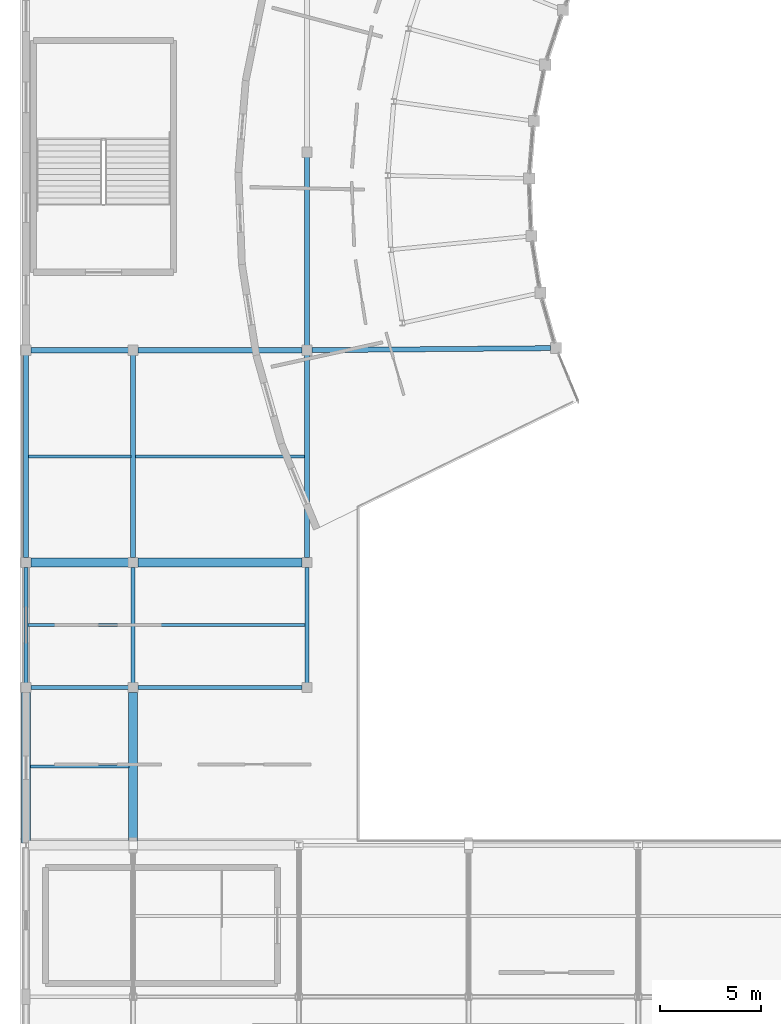
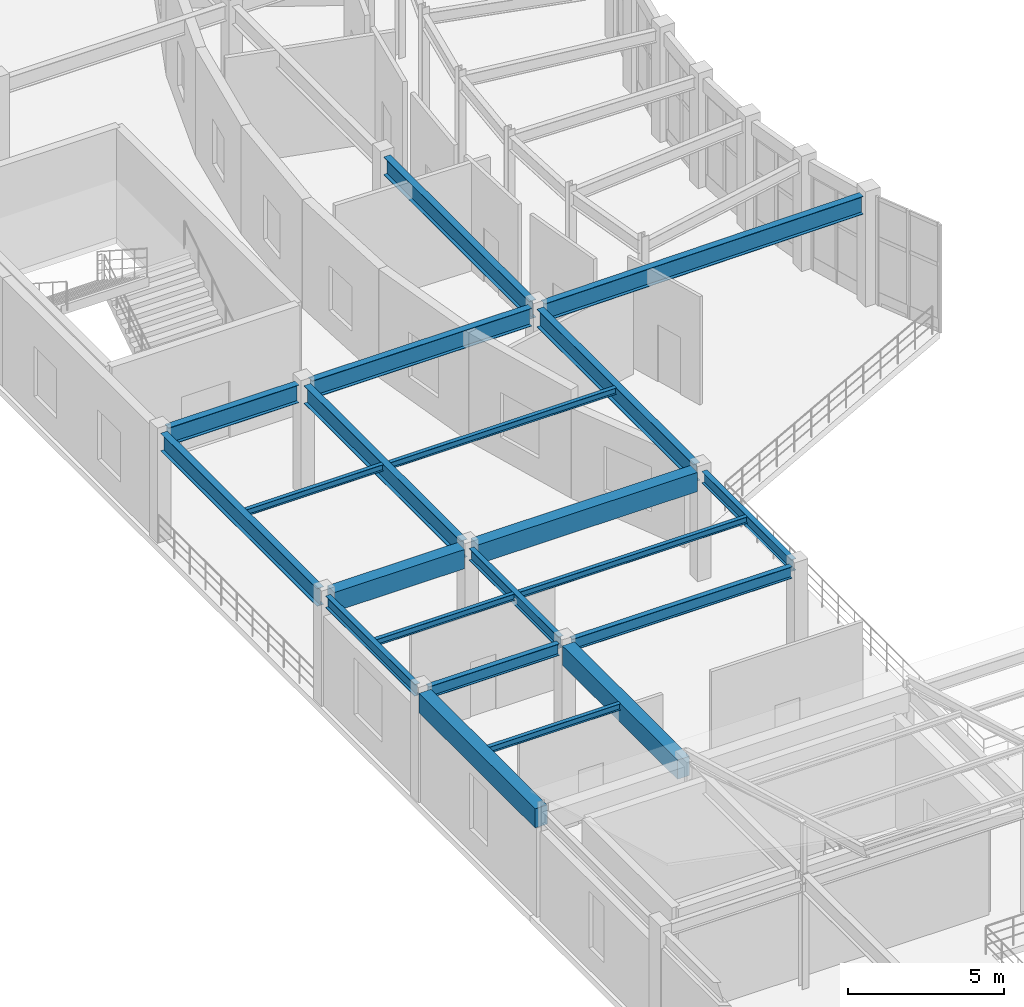
# One storey, part 37 of 112: 21 beams.
"""IFC4 building model written with IfcOpenShell, lengths in metres."""

import ifcopenshell
import ifcopenshell.guid

model = None  # the IFC model being written
_history = None  # IfcOwnerHistory: only IFC2X3 demands one
_inside = {}  # id of a spatial element -> (the spatial element, [elements in it])
_under = {}  # id of a project, library or spatial element -> (it, [spatial elements below it])
_declared = {}  # id of a project -> (the project, [libraries it declares])
_typed = {}  # id of a type object -> (the type object, [elements of that type])
_made_of = {}  # id of a material, layer set ... -> (it, [elements and type objects made of it])


def new_model(schema):
    """Start an empty IFC model of exactly this schema.

    Asked for "IFC4X3", IfcOpenShell would pick the latest addendum, in which some entities
    have other attributes; the version numbers below select the first issue.
    IFC2X3 requires an IfcOwnerHistory on every rooted entity: one is made here for all.
    """
    global model, _history
    if schema == "IFC4X3":
        model = ifcopenshell.file(schema_version=(4, 3, 0, 0))
    else:
        model = ifcopenshell.file(schema=schema)
    _inside.clear()
    _under.clear()
    _declared.clear()
    _typed.clear()
    _made_of.clear()
    _history = None
    if model.schema == "IFC2X3":
        org = make("IfcOrganization", Name="unknown")
        user = make(
            "IfcPersonAndOrganization",
            ThePerson=make("IfcPerson", FamilyName="unknown"),
            TheOrganization=org,
        )
        app = make(
            "IfcApplication",
            ApplicationDeveloper=org,
            Version="unknown",
            ApplicationFullName="unknown",
            ApplicationIdentifier="unknown",
        )
        _history = make(
            "IfcOwnerHistory",
            OwningUser=user,
            OwningApplication=app,
            ChangeAction="ADDED",
            CreationDate=0,
        )
    return model


def make(cls, **values):
    """One entity of the class cls with the attributes given. An attribute that is None is left unset."""
    return model.create_entity(
        cls, **{name: value for name, value in values.items() if value is not None}
    )


def rooted(cls, **values):
    """An entity with a GlobalId (a new one), such as an element, a storey or a relation."""
    return make(cls, GlobalId=ifcopenshell.guid.new(), OwnerHistory=_history, **values)


def si_unit(unit_type, name, prefix=None):
    """IfcSIUnit, for example si_unit("LENGTHUNIT", "METRE", prefix="MILLI")."""
    return make("IfcSIUnit", UnitType=unit_type, Prefix=prefix, Name=name)


def assignment(units):
    """IfcUnitAssignment: the units of a project."""
    return None if units is None else make("IfcUnitAssignment", Units=units)


def point(xyz):
    """IfcCartesianPoint."""
    return None if xyz is None else make("IfcCartesianPoint", Coordinates=xyz)


def direction(xyz):
    """IfcDirection."""
    return None if xyz is None else make("IfcDirection", DirectionRatios=xyz)


def frame(location, z_axis=None, x_axis=None):
    """IfcAxis2Placement3D, a coordinate frame: its origin and axes. An axis left out is left unset."""
    return make(
        "IfcAxis2Placement3D",
        Location=point(location),
        Axis=direction(z_axis),
        RefDirection=direction(x_axis),
    )


def frame_2d(location, x_axis=None):
    """IfcAxis2Placement2D, a coordinate frame in the plane: its origin and x axis."""
    return make(
        "IfcAxis2Placement2D", Location=point(location), RefDirection=direction(x_axis)
    )


def origin():
    """The frame at (0, 0, 0) with its axes left unset."""
    return frame((0.0, 0.0, 0.0))


def origin_2d():
    """The frame at (0, 0) in the plane with its x axis left unset."""
    return frame_2d((0.0, 0.0))


def place(relative_to, where):
    """IfcLocalPlacement: puts the frame where relative to a parent placement (None: the world)."""
    return make(
        "IfcLocalPlacement", PlacementRelTo=relative_to, RelativePlacement=where
    )


def context(
    kind, dimensions, precision=None, world=None, true_north=None, identifier=None
):
    """IfcGeometricRepresentationContext, for example the 3D "Model" context."""
    return make(
        "IfcGeometricRepresentationContext",
        ContextIdentifier=identifier,
        ContextType=kind,
        CoordinateSpaceDimension=dimensions,
        Precision=precision,
        WorldCoordinateSystem=world,
        TrueNorth=true_north,
    )


def subcontext(parent, identifier, kind, view, scale=None):
    """IfcGeometricRepresentationSubContext, for example "Body" below "Model"."""
    return make(
        "IfcGeometricRepresentationSubContext",
        ContextIdentifier=identifier,
        ContextType=kind,
        ParentContext=parent,
        TargetScale=scale,
        TargetView=view,
    )


def project(units=None, contexts=None):
    """IfcProject with its units and contexts."""
    return rooted(
        "IfcProject",
        Name="project",
        RepresentationContexts=contexts,
        UnitsInContext=assignment(units),
    )


def spatial(cls, under=None, at=None, **own):
    """A site, building, storey or space (cls), placed at a placement, below another one or the project."""
    s = rooted(cls, ObjectPlacement=at, **own)
    if under is not None:
        _under.setdefault(under.id(), (under, []))[1].append(s)
    return s


def profile(cls, at=None, kind="AREA", **sizes):
    """A parametric profile (cls). Its sizes go by their IFC names, for example OverallWidth=200.0."""
    return make(cls, ProfileType=kind, Position=at, **sizes)


def rectangle(**sizes):
    """IfcRectangleProfileDef."""
    return profile("IfcRectangleProfileDef", **sizes)


def i_section(**sizes):
    """IfcIShapeProfileDef."""
    return profile("IfcIShapeProfileDef", **sizes)


def extrude(swept, where, along, depth):
    """IfcExtrudedAreaSolid: the profile swept, set in the frame where, extruded along a direction by depth."""
    return make(
        "IfcExtrudedAreaSolid",
        SweptArea=swept,
        Position=where,
        ExtrudedDirection=direction(along),
        Depth=depth,
    )


def shape(context_of_items, identifier, shape_type, items):
    """IfcShapeRepresentation: the items that make up one representation, for example the "Body"."""
    return make(
        "IfcShapeRepresentation",
        ContextOfItems=context_of_items,
        RepresentationIdentifier=identifier,
        RepresentationType=shape_type,
        Items=items,
    )


def material(Name=None, Category=None):
    """IfcMaterial."""
    return make("IfcMaterial", Name=Name, Category=Category)


def material_profile(
    of_material, cross_section, Name=None, Category=None, Priority=None
):
    """IfcMaterialProfile: a cross section and its material."""
    return make(
        "IfcMaterialProfile",
        Name=Name,
        Material=of_material,
        Profile=cross_section,
        Priority=Priority,
        Category=Category,
    )


def profile_set(profiles, Name=None, composite=None):
    """IfcMaterialProfileSet."""
    return make(
        "IfcMaterialProfileSet",
        Name=Name,
        MaterialProfiles=profiles,
        CompositeProfile=composite,
    )


def made_of(thing, what):
    """Note that an element or type object is made of a material, layer set ...; save() writes the relation."""
    if what is not None:
        _made_of.setdefault(what.id(), (what, []))[1].append(thing)
    return thing


def type_object(cls, material=None, **own):
    """A type object (cls), such as IfcWallType, which elements share."""
    return made_of(rooted(cls, **own), material)


def element(
    cls,
    number,
    at=None,
    inside=None,
    cuts=None,
    type_object=None,
    material=None,
    context=None,
    identifier="Body",
    shape_type=None,
    held_by="IfcProductDefinitionShape",
    body=None,
    shapes=None,
    **own,
):
    """One element of the class cls, such as IfcWall. Its Tag is "e" and its number.

    at: its placement. inside: the storey or other place that contains it. cuts: it is an
    opening in that element (IfcRelVoidsElement). A single representation is given by context,
    identifier, shape_type and body (its items); several are given by shapes. held_by: the class
    of the entity that holds the representations. save() writes the other relations.
    """
    e = rooted(cls, Tag="e%d" % number, ObjectPlacement=at, **own)
    if body is not None:
        shapes = [shape(context, identifier, shape_type, body)]
    if shapes is not None:
        e.Representation = make(held_by, Representations=shapes)
    if inside is not None:
        _inside.setdefault(inside.id(), (inside, []))[1].append(e)
    if cuts is not None:
        rooted(
            "IfcRelVoidsElement", RelatingBuildingElement=cuts, RelatedOpeningElement=e
        )
    if type_object is not None:
        _typed.setdefault(type_object.id(), (type_object, []))[1].append(e)
    return made_of(e, material)


def aggregate(whole, parts):
    """IfcRelAggregates: a whole, such as a stair, and the parts it consists of."""
    return rooted("IfcRelAggregates", RelatingObject=whole, RelatedObjects=parts)


def save(model, path):
    """Write the relations noted so far, then the file.

    IfcRelAggregates (storeys below a building ...), IfcRelContainedInSpatialStructure (elements
    in a storey), IfcRelDefinesByType, IfcRelAssociatesMaterial and IfcRelDeclares: one each for
    every whole, place, type object, material and project.
    """
    for whole, parts in _under.values():
        aggregate(whole, parts)
    for where, things in _inside.values():
        rooted(
            "IfcRelContainedInSpatialStructure",
            RelatedElements=things,
            RelatingStructure=where,
        )
    for kind, things in _typed.values():
        rooted("IfcRelDefinesByType", RelatedObjects=things, RelatingType=kind)
    for what, things in _made_of.values():
        rooted("IfcRelAssociatesMaterial", RelatedObjects=things, RelatingMaterial=what)
    for by, libraries in _declared.values():
        rooted("IfcRelDeclares", RelatingContext=by, RelatedDefinitions=libraries)
    model.write(path)


model = new_model("IFC4")

# Units and contexts
model_context = context("Model", 3, precision=1e-05, world=origin(), true_north=direction((0.0, 1.0)))
body_context = subcontext(model_context, "Body", "Model", "MODEL_VIEW")
ifc_project = project(units=[si_unit("LENGTHUNIT", "METRE"), si_unit("AREAUNIT", "SQUARE_METRE"), si_unit("VOLUMEUNIT", "CUBIC_METRE"), si_unit("PLANEANGLEUNIT", "RADIAN"), si_unit("MASSUNIT", "GRAM", prefix="KILO")], contexts=[model_context])

# Site, building, storey
site_placement = place(None, origin())
site = spatial("IfcSite", under=ifc_project, at=site_placement, CompositionType="ELEMENT")
building_placement = place(site_placement, origin())
building = spatial("IfcBuilding", under=site, at=building_placement, Name="Cinderbank Siding Concert Hall", CompositionType="ELEMENT")
storey_placement = place(building_placement, frame((0.0, 0.0, 10.199951171875)))
storey = spatial("IfcBuildingStorey", under=building, at=storey_placement, Name="L03", CompositionType="ELEMENT", Elevation=10.199951171875)

# Beams
ifc_material_1 = material(Name="Reinforced concrete AS 3600 N50 (50 MPa)", Category="concrete")
ifc_material_profile_1 = material_profile(ifc_material_1, rectangle(XDim=0.449951171875, YDim=0.75, at=origin_2d()), Name="RC-BM-450x750", Category="LoadBearing")
ifc_profile_set_1 = profile_set([ifc_material_profile_1], Name="Reinforced concrete AS 3600 N50 (50 MPa)")
beam_type_1 = type_object("IfcBeamType", Name="BM-RC750 RC-BM-450x750", PredefinedType="BEAM", material=ifc_profile_set_1)
beam_1_placement = place(storey_placement, frame((7.10009765625, 35.618896484375, 3.886962890625), z_axis=(0.0, 1.0, 0.0), x_axis=(-1.0, 0.0, 0.0)))
element("IfcBeam", 1, at=beam_1_placement, inside=storey, type_object=beam_type_1, Name="L03 Beam BM-RC750 #1712", PredefinedType="BEAM", context=body_context, shape_type="SweptSolid", body=[
    extrude(rectangle(XDim=0.449951171875, YDim=0.75, at=origin_2d()), origin(), (0.0, 0.0, 1.0), 7.439208984375),
])
beam_2_placement = place(storey_placement, frame((12.39990234375, 35.69189453125, 3.886962890625), z_axis=(0.0, 1.0, 0.0), x_axis=(-1.0, 0.0, 0.0)))
element("IfcBeam", 2, at=beam_2_placement, inside=storey, type_object=beam_type_1, Name="L03 Beam BM-RC750 #1717", PredefinedType="BEAM", context=body_context, shape_type="SweptSolid", body=[
    extrude(rectangle(XDim=0.449951171875, YDim=0.75, at=origin_2d()), origin(), (0.0, 0.0, 1.0), 7.3662109375),
])
beam_3_placement = place(storey_placement, frame((7.342041015625, 49.5, 3.886962890625), z_axis=(1.0, 0.0, 0.0), x_axis=(0.0, 1.0, 0.0)))
element("IfcBeam", 3, at=beam_3_placement, inside=storey, type_object=beam_type_1, Name="L03 Beam BM-RC750 #1803", PredefinedType="BEAM", context=body_context, shape_type="SweptSolid", body=[
    extrude(rectangle(XDim=0.449951171875, YDim=0.75, at=origin_2d()), origin(), (0.0, 0.0, 1.0), 4.81591796875),
])
beam_4_placement = place(storey_placement, frame((12.64208984375, 49.5, 3.886962890625), z_axis=(1.0, 0.0, 0.0), x_axis=(0.0, 1.0, 0.0)))
element("IfcBeam", 4, at=beam_4_placement, inside=storey, type_object=beam_type_1, Name="L03 Beam BM-RC750 #1812", PredefinedType="BEAM", context=body_context, shape_type="SweptSolid", body=[
    extrude(rectangle(XDim=0.449951171875, YDim=0.75, at=origin_2d()), origin(), (0.0, 0.0, 1.0), 8.115966796875),
])
ifc_material_2 = material(Name="Structural steel AS/NZS 3679.1 Grade 350 (340 MPa)", Category="steel")
ifc_material_profile_2 = material_profile(ifc_material_2, i_section(OverallWidth=0.18994140625, OverallDepth=0.45751953125, WebThickness=0.009033203125, FlangeThickness=0.014404296875, at=origin_2d()), Name="460UB74.6", Category="LoadBearing")
ifc_profile_set_2 = profile_set([ifc_material_profile_2], Name="Structural steel AS/NZS 3679.1 Grade 350 (340 MPa)")
beam_type_2 = type_object("IfcBeamType", Name="BM-UB460 460UB74.6", PredefinedType="BEAM", material=ifc_profile_set_2)
beam_5_placement = place(storey_placement, frame((7.342041015625, 43.300048828125, 4.033447265625), z_axis=(1.0, 0.0, 0.0), x_axis=(0.0, 1.0, 0.0)))
element("IfcBeam", 5, at=beam_5_placement, inside=storey, type_object=beam_type_2, Name="L03 Beam BM-UB460 #1801", PredefinedType="BEAM", context=body_context, shape_type="SweptSolid", body=[
    extrude(i_section(OverallWidth=0.18994140625, OverallDepth=0.45751953125, WebThickness=0.009033203125, FlangeThickness=0.014404296875, at=origin_2d()), origin(), (0.0, 0.0, 1.0), 4.81591796875),
])
beam_6_placement = place(storey_placement, frame((7.10009765625, 43.5419921875, 4.033447265625), z_axis=(0.0, 1.0, 0.0), x_axis=(-1.0, 0.0, 0.0)))
element("IfcBeam", 6, at=beam_6_placement, inside=storey, type_object=beam_type_2, Name="L03 Beam BM-UB460 #1802", PredefinedType="BEAM", context=body_context, shape_type="SweptSolid", body=[
    extrude(i_section(OverallWidth=0.18994140625, OverallDepth=0.45751953125, WebThickness=0.009033203125, FlangeThickness=0.014404296875, at=origin_2d()), origin(), (0.0, 0.0, 1.0), 5.716064453125),
])
beam_7_placement = place(storey_placement, frame((12.64208984375, 43.300048828125, 4.033447265625), z_axis=(1.0, 0.0, 0.0), x_axis=(0.0, 1.0, 0.0)))
element("IfcBeam", 7, at=beam_7_placement, inside=storey, type_object=beam_type_2, Name="L03 Beam BM-UB460 #1810", PredefinedType="BEAM", context=body_context, shape_type="SweptSolid", body=[
    extrude(i_section(OverallWidth=0.18994140625, OverallDepth=0.45751953125, WebThickness=0.009033203125, FlangeThickness=0.014404296875, at=origin_2d()), origin(), (0.0, 0.0, 1.0), 8.115966796875),
])
for number, where, z_axis, x_axis, name in (
    (8, (12.39990234375, 43.5419921875, 4.033447265625), (0.0, 1.0, 0.0), (-1.0, 0.0, 0.0), "L03 Beam BM-UB460 #1811"),
    (9, (21.0, 43.5419921875, 4.033447265625), (0.0, 1.0, 0.0), (-1.0, 0.0, 0.0), "L03 Beam BM-UB460 #1818"),
):
    element("IfcBeam", number, at=place(storey_placement, frame(where, z_axis=z_axis, x_axis=x_axis)), inside=storey, type_object=beam_type_2, Name=name, PredefinedType="BEAM", context=body_context, shape_type="SweptSolid", body=[
        extrude(i_section(OverallWidth=0.18994140625, OverallDepth=0.45751953125, WebThickness=0.009033203125, FlangeThickness=0.014404296875, at=origin_2d()), origin(), (0.0, 0.0, 1.0), 5.716064453125),
    ])
ifc_material_3 = material(Name="Structural steel welded plate section AS/NZS 3679.2 / AS/NZS 3678 Grade 350 (340 MPa)", Category="steel")
ifc_material_profile_3 = material_profile(ifc_material_3, i_section(OverallWidth=0.25, OverallDepth=0.699951171875, WebThickness=0.010009765625, FlangeThickness=0.01611328125, at=origin_2d()), Name="700WB130", Category="LoadBearing")
ifc_profile_set_3 = profile_set([ifc_material_profile_3], Name="Structural steel welded plate section AS/NZS 3679.2 / AS/NZS 3678 Grade 350 (340 MPa)")
beam_type_3 = type_object("IfcBeamType", Name="BM-WB700 700WB130", PredefinedType="BEAM", material=ifc_profile_set_3)
beam_8_placement = place(storey_placement, frame((7.10009765625, 49.741943359375, 3.912109375), z_axis=(0.0, 1.0, 0.0), x_axis=(-1.0, 0.0, 0.0)))
element("IfcBeam", 10, at=beam_8_placement, inside=storey, type_object=beam_type_3, Name="L03 Beam BM-WB700 #1804", PredefinedType="BEAM", context=body_context, shape_type="SweptSolid", body=[
    extrude(i_section(OverallWidth=0.25, OverallDepth=0.699951171875, WebThickness=0.010009765625, FlangeThickness=0.01611328125, at=origin_2d()), origin(), (0.0, 0.0, 1.0), 10.01611328125),
])
beam_9_placement = place(storey_placement, frame((7.342041015625, 60.0, 3.912109375), z_axis=(1.0, 0.0, 0.0), x_axis=(0.0, 1.0, 0.0)))
element("IfcBeam", 11, at=beam_9_placement, inside=storey, type_object=beam_type_3, Name="L03 Beam BM-WB700 #1805", PredefinedType="BEAM", context=body_context, shape_type="SweptSolid", body=[
    extrude(i_section(OverallWidth=0.25, OverallDepth=0.699951171875, WebThickness=0.010009765625, FlangeThickness=0.01611328125, at=origin_2d()), origin(), (0.0, 0.0, 1.0), 4.81591796875),
])
beam_10_placement = place(storey_placement, frame((12.39990234375, 49.741943359375, 3.912109375), z_axis=(0.0, 1.0, 0.0), x_axis=(-1.0, 0.0, 0.0)))
element("IfcBeam", 12, at=beam_10_placement, inside=storey, type_object=beam_type_3, Name="L03 Beam BM-WB700 #1813", PredefinedType="BEAM", context=body_context, shape_type="SweptSolid", body=[
    extrude(i_section(OverallWidth=0.25, OverallDepth=0.699951171875, WebThickness=0.010009765625, FlangeThickness=0.01611328125, at=origin_2d()), origin(), (0.0, 0.0, 1.0), 10.01611328125),
])
beam_11_placement = place(storey_placement, frame((12.64208984375, 60.0, 3.89208984375), z_axis=(1.0, 0.0, 0.0), x_axis=(0.0, 1.0, 0.0)))
element("IfcBeam", 13, at=beam_11_placement, inside=storey, type_object=beam_type_3, Name="L03 Beam BM-WB700 #1814", PredefinedType="BEAM", context=body_context, shape_type="SweptSolid", body=[
    extrude(i_section(OverallWidth=0.25, OverallDepth=0.699951171875, WebThickness=0.010009765625, FlangeThickness=0.01611328125, at=origin_2d()), origin(), (0.0, 0.0, 1.0), 8.115966796875),
])
beam_12_placement = place(storey_placement, frame((21.0, 49.741943359375, 3.89208984375), z_axis=(0.0, 1.0, 0.0), x_axis=(-1.0, 0.0, 0.0)))
element("IfcBeam", 14, at=beam_12_placement, inside=storey, type_object=beam_type_3, Name="L03 Beam BM-WB700 #1819", PredefinedType="BEAM", context=body_context, shape_type="SweptSolid", body=[
    extrude(i_section(OverallWidth=0.25, OverallDepth=0.699951171875, WebThickness=0.010009765625, FlangeThickness=0.01611328125, at=origin_2d()), origin(), (0.0, 0.0, 1.0), 10.01611328125),
])
beam_13_placement = place(storey_placement, frame((21.241943359375, 60.002197265625, 3.89208984375), z_axis=(0.999962413159, 0.008670194334, 0.0), x_axis=(-0.008670194334, 0.999962413159, 0.0)))
element("IfcBeam", 15, at=beam_13_placement, inside=storey, type_object=beam_type_3, Name="L03 Beam BM-WB700 #1820", PredefinedType="BEAM", context=body_context, shape_type="SweptSolid", body=[
    extrude(i_section(OverallWidth=0.25, OverallDepth=0.699951171875, WebThickness=0.010009765625, FlangeThickness=0.01611328125, at=origin_2d()), origin(), (0.0, 0.0, 1.0), 11.82666015625),
])
beam_14_placement = place(storey_placement, frame((21.0, 60.241943359375, 3.89208984375), z_axis=(0.0, 1.0, 0.0), x_axis=(-1.0, 0.0, 0.0)))
element("IfcBeam", 16, at=beam_14_placement, inside=storey, type_object=beam_type_3, Name="L03 Beam BM-WB700 #1821", PredefinedType="BEAM", context=body_context, shape_type="SweptSolid", body=[
    extrude(i_section(OverallWidth=0.25, OverallDepth=0.699951171875, WebThickness=0.010009765625, FlangeThickness=0.01611328125, at=origin_2d()), origin(), (0.0, 0.0, 1.0), 9.316162109375),
])
ifc_material_profile_4 = material_profile(ifc_material_2, i_section(OverallWidth=0.14599609375, OverallDepth=0.251708984375, WebThickness=0.006103515625, FlangeThickness=0.008544921875, at=origin_2d()), Name="250UB31.4", Category="LoadBearing")
ifc_profile_set_4 = profile_set([ifc_material_profile_4], Name="Structural steel AS/NZS 3679.1 Grade 350 (340 MPa)")
beam_type_4 = type_object("IfcBeamType", Name="JS-UB250 250UB31.4", PredefinedType="JOIST", material=ifc_profile_set_4)
beam_15_placement = place(storey_placement, frame((7.31689453125, 39.39990234375, 4.13623046875), z_axis=(1.0, 0.0, 0.0), x_axis=(0.0, 1.0, 0.0)))
element("IfcBeam", 17, at=beam_15_placement, inside=storey, type_object=beam_type_4, Name="L03 Beam JS-UB250 #1825", PredefinedType="JOIST", context=body_context, shape_type="SweptSolid", body=[
    extrude(i_section(OverallWidth=0.14599609375, OverallDepth=0.251708984375, WebThickness=0.006103515625, FlangeThickness=0.008544921875, at=origin_2d()), origin(), (0.0, 0.0, 1.0), 4.8662109375),
])
beam_16_placement = place(storey_placement, frame((7.18701171875, 46.39990234375, 4.13623046875), z_axis=(1.0, 0.0, 0.0), x_axis=(0.0, 1.0, 0.0)))
element("IfcBeam", 18, at=beam_16_placement, inside=storey, type_object=beam_type_4, Name="L03 Beam JS-UB250 #1845", PredefinedType="JOIST", context=body_context, shape_type="SweptSolid", body=[
    extrude(i_section(OverallWidth=0.14599609375, OverallDepth=0.251708984375, WebThickness=0.006103515625, FlangeThickness=0.008544921875, at=origin_2d()), origin(), (0.0, 0.0, 1.0), 5.1259765625),
])
beam_17_placement = place(storey_placement, frame((7.217041015625, 54.75, 4.13623046875), z_axis=(1.0, 0.0, 0.0), x_axis=(0.0, 1.0, 0.0)))
element("IfcBeam", 19, at=beam_17_placement, inside=storey, type_object=beam_type_4, Name="L03 Beam JS-UB250 #1846", PredefinedType="JOIST", context=body_context, shape_type="SweptSolid", body=[
    extrude(i_section(OverallWidth=0.14599609375, OverallDepth=0.251708984375, WebThickness=0.006103515625, FlangeThickness=0.008544921875, at=origin_2d()), origin(), (0.0, 0.0, 1.0), 5.06591796875),
])
beam_18_placement = place(storey_placement, frame((12.487060546875, 46.39990234375, 4.13623046875), z_axis=(1.0, 0.0, 0.0), x_axis=(0.0, 1.0, 0.0)))
element("IfcBeam", 20, at=beam_18_placement, inside=storey, type_object=beam_type_4, Name="L03 Beam JS-UB250 #1848", PredefinedType="JOIST", context=body_context, shape_type="SweptSolid", body=[
    extrude(i_section(OverallWidth=0.14599609375, OverallDepth=0.251708984375, WebThickness=0.006103515625, FlangeThickness=0.008544921875, at=origin_2d()), origin(), (0.0, 0.0, 1.0), 8.426025390625),
])
beam_19_placement = place(storey_placement, frame((12.51708984375, 54.75, 4.1162109375), z_axis=(1.0, 0.0, 0.0), x_axis=(0.0, 1.0, 0.0)))
element("IfcBeam", 21, at=beam_19_placement, inside=storey, type_object=beam_type_4, Name="L03 Beam JS-UB250 #1849", PredefinedType="JOIST", context=body_context, shape_type="SweptSolid", body=[
    extrude(i_section(OverallWidth=0.14599609375, OverallDepth=0.251708984375, WebThickness=0.006103515625, FlangeThickness=0.008544921875, at=origin_2d()), origin(), (0.0, 0.0, 1.0), 8.365966796875),
])

save(model, "model.ifc")
